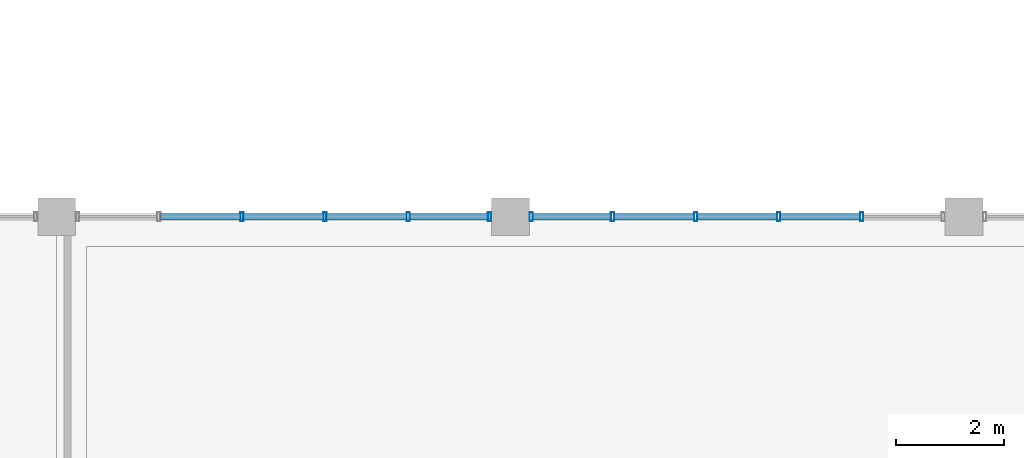
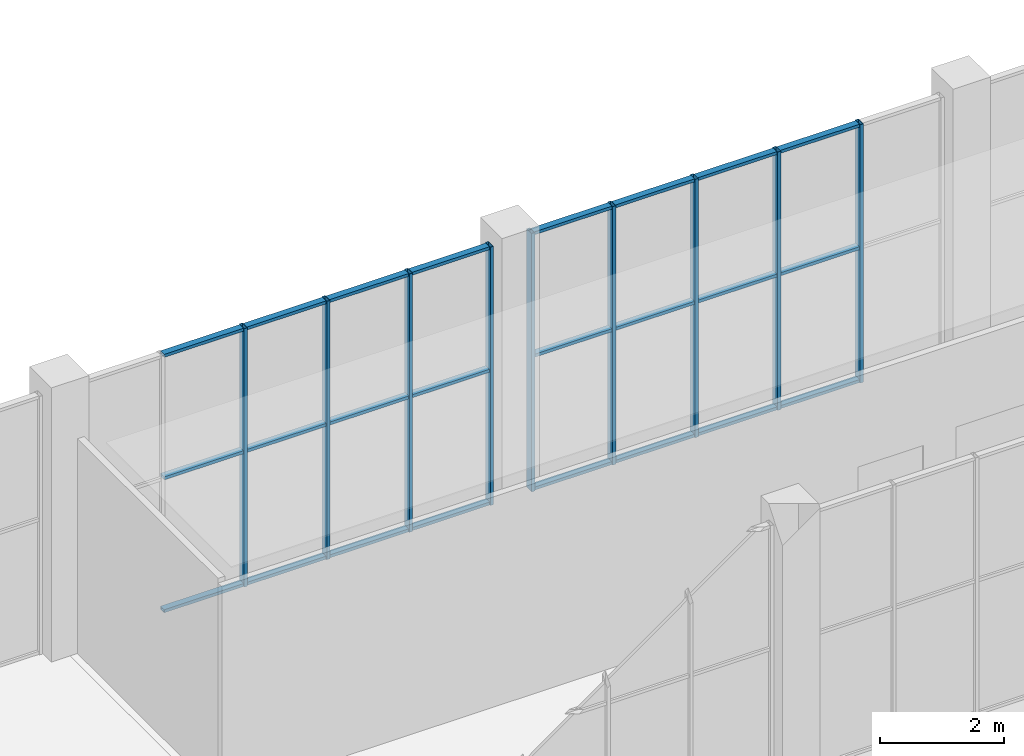
# One storey, part 43 of 91: 33 members, 2 elements without a shape of their own.
"""IFC4 building model written with IfcOpenShell, lengths in metres."""

from ifc_helpers import new_model, si_unit, direction, frame, origin, origin_2d, place, context, subcontext, project, spatial, hollow_rectangle, extrude, material, material_profile, profile_set, type_object, element, aggregate, save


model = new_model("IFC4")

# Units and contexts
model_context = context("Model", 3, precision=1e-05, world=origin(), true_north=direction((0.0, 1.0)))
body_context = subcontext(model_context, "Body", "Model", "MODEL_VIEW")
ifc_project = project(units=[si_unit("LENGTHUNIT", "METRE"), si_unit("AREAUNIT", "SQUARE_METRE"), si_unit("VOLUMEUNIT", "CUBIC_METRE"), si_unit("PLANEANGLEUNIT", "RADIAN"), si_unit("MASSUNIT", "GRAM", prefix="KILO")], contexts=[model_context])

# Site, building, storey
site_placement = place(None, origin())
site = spatial("IfcSite", under=ifc_project, at=site_placement, CompositionType="ELEMENT")
building_placement = place(site_placement, origin())
building = spatial("IfcBuilding", under=site, at=building_placement, Name="Khurvash Pelagic Aquarium", CompositionType="ELEMENT")
storey_placement = place(building_placement, origin())
storey = spatial("IfcBuildingStorey", under=building, at=storey_placement, Name="L00", CompositionType="ELEMENT", Elevation=0.0)

# Curtain wall, members
ifc_material_1 = material(Name="Anodised aluminium and low-E laminated glass", Category="aluminium")
curtain_wall_type = type_object("IfcCurtainWallType", Name="CW-02", PredefinedType="USERDEFINED", material=ifc_material_1)
curtain_wall_1_placement = place(storey_placement, origin())
curtain_wall_1 = element("IfcCurtainWall", 1, at=curtain_wall_1_placement, inside=storey, type_object=curtain_wall_type, Name="L00 Facade Unitised Curtain Wall CW-02 0066", ObjectType="UNITISED CURTAIN WALL", PredefinedType="USERDEFINED")
ifc_material_2 = material(Name="Extruded aluminium AW-6063-T6", Category="aluminium")
ifc_material_profile_1 = material_profile(ifc_material_2, hollow_rectangle(XDim=0.06005859375, YDim=0.159912109375, WallThickness=0.00390625, at=origin_2d()), Name="CWM60X160X4")
ifc_profile_set_1 = profile_set([ifc_material_profile_1], Name="Extruded aluminium AW-6063-T6")
member_type_1 = type_object("IfcMemberType", Name="CM-02", PredefinedType="MULLION", material=ifc_profile_set_1)
member_1_placement = place(storey_placement, frame((48.507080078125, 102.14990234375, 0.0), z_axis=(0.0, 0.0, 1.0), x_axis=(-1.0, 0.0, 0.0)))
member_1 = element("IfcMember", 2, at=member_1_placement, type_object=member_type_1, Name="CW-02 mullion 2", PredefinedType="MULLION", context=body_context, shape_type="SweptSolid", body=[
    extrude(hollow_rectangle(XDim=0.06005859375, YDim=0.159912109375, WallThickness=0.00390625, at=origin_2d()), origin(), (0.0, 0.0, 1.0), 5.090087890625),
])
member_2_placement = place(storey_placement, frame((46.968994140625, 102.14990234375, 0.0), z_axis=(0.0, 0.0, 1.0), x_axis=(-1.0, 0.0, 0.0)))
member_2 = element("IfcMember", 3, at=member_2_placement, type_object=member_type_1, Name="CW-02 mullion 3", PredefinedType="MULLION", context=body_context, shape_type="SweptSolid", body=[
    extrude(hollow_rectangle(XDim=0.06005859375, YDim=0.159912109375, WallThickness=0.00390625, at=origin_2d()), origin(), (0.0, 0.0, 1.0), 5.090087890625),
])
member_3_placement = place(storey_placement, frame((45.430908203125, 102.14990234375, 0.0), z_axis=(0.0, 0.0, 1.0), x_axis=(-1.0, 0.0, 0.0)))
member_3 = element("IfcMember", 4, at=member_3_placement, type_object=member_type_1, Name="CW-02 mullion 4", PredefinedType="MULLION", context=body_context, shape_type="SweptSolid", body=[
    extrude(hollow_rectangle(XDim=0.06005859375, YDim=0.159912109375, WallThickness=0.00390625, at=origin_2d()), origin(), (0.0, 0.0, 1.0), 5.090087890625),
])
member_4_placement = place(storey_placement, frame((43.89306640625, 102.14990234375, 0.0), z_axis=(0.0, 0.0, 1.0), x_axis=(-1.0, 0.0, 0.0)))
member_4 = element("IfcMember", 5, at=member_4_placement, type_object=member_type_1, Name="CW-02 mullion 5", PredefinedType="MULLION", context=body_context, shape_type="SweptSolid", body=[
    extrude(hollow_rectangle(XDim=0.06005859375, YDim=0.159912109375, WallThickness=0.00390625, at=origin_2d()), origin(), (0.0, 0.0, 1.0), 5.090087890625),
])
member_5_placement = place(storey_placement, frame((42.385009765625, 102.14990234375, 0.0), z_axis=(0.0, 0.0, 1.0), x_axis=(-1.0, 0.0, 0.0)))
member_5 = element("IfcMember", 6, at=member_5_placement, type_object=member_type_1, Name="CW-02 mullion 6", PredefinedType="MULLION", context=body_context, shape_type="SweptSolid", body=[
    extrude(hollow_rectangle(XDim=0.06005859375, YDim=0.159912109375, WallThickness=0.00390625, at=origin_2d()), origin(), (0.0, 0.0, 1.0), 5.090087890625),
])

curtain_wall_2_placement = place(storey_placement, origin())
curtain_wall_2 = element("IfcCurtainWall", 7, at=curtain_wall_2_placement, inside=storey, type_object=curtain_wall_type, Name="L00 Facade Unitised Curtain Wall CW-02 0067", ObjectType="UNITISED CURTAIN WALL", PredefinedType="USERDEFINED")
member_6_placement = place(storey_placement, frame((41.614990234375, 102.14990234375, 0.0), z_axis=(0.0, 0.0, 1.0), x_axis=(-1.0, 0.0, 0.0)))
member_6 = element("IfcMember", 8, at=member_6_placement, type_object=member_type_1, Name="CW-02 mullion 1", PredefinedType="MULLION", context=body_context, shape_type="SweptSolid", body=[
    extrude(hollow_rectangle(XDim=0.06005859375, YDim=0.159912109375, WallThickness=0.00390625, at=origin_2d()), origin(), (0.0, 0.0, 1.0), 5.090087890625),
])
member_7_placement = place(storey_placement, frame((40.10693359375, 102.14990234375, 0.0), z_axis=(0.0, 0.0, 1.0), x_axis=(-1.0, 0.0, 0.0)))
member_7 = element("IfcMember", 9, at=member_7_placement, type_object=member_type_1, Name="CW-02 mullion 2", PredefinedType="MULLION", context=body_context, shape_type="SweptSolid", body=[
    extrude(hollow_rectangle(XDim=0.06005859375, YDim=0.159912109375, WallThickness=0.00390625, at=origin_2d()), origin(), (0.0, 0.0, 1.0), 5.090087890625),
])
member_8_placement = place(storey_placement, frame((38.569091796875, 102.14990234375, 0.0), z_axis=(0.0, 0.0, 1.0), x_axis=(-1.0, 0.0, 0.0)))
member_8 = element("IfcMember", 10, at=member_8_placement, type_object=member_type_1, Name="CW-02 mullion 3", PredefinedType="MULLION", context=body_context, shape_type="SweptSolid", body=[
    extrude(hollow_rectangle(XDim=0.06005859375, YDim=0.159912109375, WallThickness=0.00390625, at=origin_2d()), origin(), (0.0, 0.0, 1.0), 5.090087890625),
])
member_9_placement = place(storey_placement, frame((37.031005859375, 102.14990234375, 0.0), z_axis=(0.0, 0.0, 1.0), x_axis=(-1.0, 0.0, 0.0)))
member_9 = element("IfcMember", 11, at=member_9_placement, type_object=member_type_1, Name="CW-02 mullion 4", PredefinedType="MULLION", context=body_context, shape_type="SweptSolid", body=[
    extrude(hollow_rectangle(XDim=0.06005859375, YDim=0.159912109375, WallThickness=0.00390625, at=origin_2d()), origin(), (0.0, 0.0, 1.0), 5.090087890625),
])

# Member
ifc_material_profile_2 = material_profile(ifc_material_2, hollow_rectangle(XDim=0.1201171875, YDim=0.06005859375, WallThickness=0.00390625, at=origin_2d()), Name="CWT120X60X4")
ifc_profile_set_2 = profile_set([ifc_material_profile_2], Name="Extruded aluminium AW-6063-T6")
member_type_2 = type_object("IfcMemberType", Name="CT-02", PredefinedType="USERDEFINED", material=ifc_profile_set_2)
member_10_placement = place(storey_placement, frame((48.47705078125, 102.14990234375, 0.030029296875), z_axis=(-1.0, 0.0, 0.0), x_axis=(0.0, -1.0, 0.0)))
member_10 = element("IfcMember", 12, at=member_10_placement, type_object=member_type_2, Name="CW-02 transom 2.1", ObjectType="TRANSOM", PredefinedType="USERDEFINED", context=body_context, shape_type="SweptSolid", body=[
    extrude(hollow_rectangle(XDim=0.1201171875, YDim=0.06005859375, WallThickness=0.00390625, at=origin_2d()), origin(), (0.0, 0.0, 1.0), 1.47802734375),
])

member_11_placement = place(storey_placement, frame((48.47705078125, 102.14990234375, 2.64697265625), z_axis=(-1.0, 0.0, 0.0), x_axis=(0.0, -1.0, 0.0)))
member_11 = element("IfcMember", 13, at=member_11_placement, type_object=member_type_2, Name="CW-02 transom 2.2", ObjectType="TRANSOM", PredefinedType="USERDEFINED", context=body_context, shape_type="SweptSolid", body=[
    extrude(hollow_rectangle(XDim=0.1201171875, YDim=0.06005859375, WallThickness=0.00390625, at=origin_2d()), origin(), (0.0, 0.0, 1.0), 1.47802734375),
])

member_12_placement = place(storey_placement, frame((48.47705078125, 102.14990234375, 5.06005859375), z_axis=(-1.0, 0.0, 0.0), x_axis=(0.0, -1.0, 0.0)))
member_12 = element("IfcMember", 14, at=member_12_placement, type_object=member_type_2, Name="CW-02 transom 2.3", ObjectType="TRANSOM", PredefinedType="USERDEFINED", context=body_context, shape_type="SweptSolid", body=[
    extrude(hollow_rectangle(XDim=0.1201171875, YDim=0.06005859375, WallThickness=0.00390625, at=origin_2d()), origin(), (0.0, 0.0, 1.0), 1.47802734375),
])

member_13_placement = place(storey_placement, frame((46.93896484375, 102.14990234375, 0.030029296875), z_axis=(-1.0, 0.0, 0.0), x_axis=(0.0, -1.0, 0.0)))
member_13 = element("IfcMember", 15, at=member_13_placement, type_object=member_type_2, Name="CW-02 transom 3.1", ObjectType="TRANSOM", PredefinedType="USERDEFINED", context=body_context, shape_type="SweptSolid", body=[
    extrude(hollow_rectangle(XDim=0.1201171875, YDim=0.06005859375, WallThickness=0.00390625, at=origin_2d()), origin(), (0.0, 0.0, 1.0), 1.47802734375),
])

member_14_placement = place(storey_placement, frame((46.93896484375, 102.14990234375, 2.64697265625), z_axis=(-1.0, 0.0, 0.0), x_axis=(0.0, -1.0, 0.0)))
member_14 = element("IfcMember", 16, at=member_14_placement, type_object=member_type_2, Name="CW-02 transom 3.2", ObjectType="TRANSOM", PredefinedType="USERDEFINED", context=body_context, shape_type="SweptSolid", body=[
    extrude(hollow_rectangle(XDim=0.1201171875, YDim=0.06005859375, WallThickness=0.00390625, at=origin_2d()), origin(), (0.0, 0.0, 1.0), 1.47802734375),
])

member_15_placement = place(storey_placement, frame((46.93896484375, 102.14990234375, 5.06005859375), z_axis=(-1.0, 0.0, 0.0), x_axis=(0.0, -1.0, 0.0)))
member_15 = element("IfcMember", 17, at=member_15_placement, type_object=member_type_2, Name="CW-02 transom 3.3", ObjectType="TRANSOM", PredefinedType="USERDEFINED", context=body_context, shape_type="SweptSolid", body=[
    extrude(hollow_rectangle(XDim=0.1201171875, YDim=0.06005859375, WallThickness=0.00390625, at=origin_2d()), origin(), (0.0, 0.0, 1.0), 1.47802734375),
])

member_16_placement = place(storey_placement, frame((45.40087890625, 102.14990234375, 0.030029296875), z_axis=(-1.0, 0.0, 0.0), x_axis=(0.0, -1.0, 0.0)))
member_16 = element("IfcMember", 18, at=member_16_placement, type_object=member_type_2, Name="CW-02 transom 4.1", ObjectType="TRANSOM", PredefinedType="USERDEFINED", context=body_context, shape_type="SweptSolid", body=[
    extrude(hollow_rectangle(XDim=0.1201171875, YDim=0.06005859375, WallThickness=0.00390625, at=origin_2d()), origin(), (0.0, 0.0, 1.0), 1.477783203125),
])

member_17_placement = place(storey_placement, frame((45.40087890625, 102.14990234375, 2.64697265625), z_axis=(-1.0, 0.0, 0.0), x_axis=(0.0, -1.0, 0.0)))
member_17 = element("IfcMember", 19, at=member_17_placement, type_object=member_type_2, Name="CW-02 transom 4.2", ObjectType="TRANSOM", PredefinedType="USERDEFINED", context=body_context, shape_type="SweptSolid", body=[
    extrude(hollow_rectangle(XDim=0.1201171875, YDim=0.06005859375, WallThickness=0.00390625, at=origin_2d()), origin(), (0.0, 0.0, 1.0), 1.477783203125),
])

member_18_placement = place(storey_placement, frame((45.40087890625, 102.14990234375, 5.06005859375), z_axis=(-1.0, 0.0, 0.0), x_axis=(0.0, -1.0, 0.0)))
member_18 = element("IfcMember", 20, at=member_18_placement, type_object=member_type_2, Name="CW-02 transom 4.3", ObjectType="TRANSOM", PredefinedType="USERDEFINED", context=body_context, shape_type="SweptSolid", body=[
    extrude(hollow_rectangle(XDim=0.1201171875, YDim=0.06005859375, WallThickness=0.00390625, at=origin_2d()), origin(), (0.0, 0.0, 1.0), 1.477783203125),
])

member_19_placement = place(storey_placement, frame((43.863037109375, 102.14990234375, 0.030029296875), z_axis=(-1.0, 0.0, 0.0), x_axis=(0.0, -1.0, 0.0)))
member_19 = element("IfcMember", 21, at=member_19_placement, type_object=member_type_2, Name="CW-02 transom 5.1", ObjectType="TRANSOM", PredefinedType="USERDEFINED", context=body_context, shape_type="SweptSolid", body=[
    extrude(hollow_rectangle(XDim=0.1201171875, YDim=0.06005859375, WallThickness=0.00390625, at=origin_2d()), origin(), (0.0, 0.0, 1.0), 1.447998046875),
])

member_20_placement = place(storey_placement, frame((43.863037109375, 102.14990234375, 2.64697265625), z_axis=(-1.0, 0.0, 0.0), x_axis=(0.0, -1.0, 0.0)))
member_20 = element("IfcMember", 22, at=member_20_placement, type_object=member_type_2, Name="CW-02 transom 5.2", ObjectType="TRANSOM", PredefinedType="USERDEFINED", context=body_context, shape_type="SweptSolid", body=[
    extrude(hollow_rectangle(XDim=0.1201171875, YDim=0.06005859375, WallThickness=0.00390625, at=origin_2d()), origin(), (0.0, 0.0, 1.0), 1.447998046875),
])

member_21_placement = place(storey_placement, frame((43.863037109375, 102.14990234375, 5.06005859375), z_axis=(-1.0, 0.0, 0.0), x_axis=(0.0, -1.0, 0.0)))
member_21 = element("IfcMember", 23, at=member_21_placement, type_object=member_type_2, Name="CW-02 transom 5.3", ObjectType="TRANSOM", PredefinedType="USERDEFINED", context=body_context, shape_type="SweptSolid", body=[
    extrude(hollow_rectangle(XDim=0.1201171875, YDim=0.06005859375, WallThickness=0.00390625, at=origin_2d()), origin(), (0.0, 0.0, 1.0), 1.447998046875),
])

aggregate(curtain_wall_1, [member_1, member_2, member_3, member_4, member_5, member_10, member_11, member_12, member_13, member_14, member_15, member_16, member_17, member_18, member_19, member_20, member_21])

member_22_placement = place(storey_placement, frame((41.5849609375, 102.14990234375, 0.030029296875), z_axis=(-1.0, 0.0, 0.0), x_axis=(0.0, -1.0, 0.0)))
member_22 = element("IfcMember", 24, at=member_22_placement, type_object=member_type_2, Name="CW-02 transom 1.1", ObjectType="TRANSOM", PredefinedType="USERDEFINED", context=body_context, shape_type="SweptSolid", body=[
    extrude(hollow_rectangle(XDim=0.1201171875, YDim=0.06005859375, WallThickness=0.00390625, at=origin_2d()), origin(), (0.0, 0.0, 1.0), 1.447998046875),
])

member_23_placement = place(storey_placement, frame((41.5849609375, 102.14990234375, 2.64697265625), z_axis=(-1.0, 0.0, 0.0), x_axis=(0.0, -1.0, 0.0)))
member_23 = element("IfcMember", 25, at=member_23_placement, type_object=member_type_2, Name="CW-02 transom 1.2", ObjectType="TRANSOM", PredefinedType="USERDEFINED", context=body_context, shape_type="SweptSolid", body=[
    extrude(hollow_rectangle(XDim=0.1201171875, YDim=0.06005859375, WallThickness=0.00390625, at=origin_2d()), origin(), (0.0, 0.0, 1.0), 1.447998046875),
])

member_24_placement = place(storey_placement, frame((41.5849609375, 102.14990234375, 5.06005859375), z_axis=(-1.0, 0.0, 0.0), x_axis=(0.0, -1.0, 0.0)))
member_24 = element("IfcMember", 26, at=member_24_placement, type_object=member_type_2, Name="CW-02 transom 1.3", ObjectType="TRANSOM", PredefinedType="USERDEFINED", context=body_context, shape_type="SweptSolid", body=[
    extrude(hollow_rectangle(XDim=0.1201171875, YDim=0.06005859375, WallThickness=0.00390625, at=origin_2d()), origin(), (0.0, 0.0, 1.0), 1.447998046875),
])

member_25_placement = place(storey_placement, frame((40.076904296875, 102.14990234375, 0.030029296875), z_axis=(-1.0, 0.0, 0.0), x_axis=(0.0, -1.0, 0.0)))
member_25 = element("IfcMember", 27, at=member_25_placement, type_object=member_type_2, Name="CW-02 transom 2.1", ObjectType="TRANSOM", PredefinedType="USERDEFINED", context=body_context, shape_type="SweptSolid", body=[
    extrude(hollow_rectangle(XDim=0.1201171875, YDim=0.06005859375, WallThickness=0.00390625, at=origin_2d()), origin(), (0.0, 0.0, 1.0), 1.477783203125),
])

member_26_placement = place(storey_placement, frame((40.076904296875, 102.14990234375, 2.64697265625), z_axis=(-1.0, 0.0, 0.0), x_axis=(0.0, -1.0, 0.0)))
member_26 = element("IfcMember", 28, at=member_26_placement, type_object=member_type_2, Name="CW-02 transom 2.2", ObjectType="TRANSOM", PredefinedType="USERDEFINED", context=body_context, shape_type="SweptSolid", body=[
    extrude(hollow_rectangle(XDim=0.1201171875, YDim=0.06005859375, WallThickness=0.00390625, at=origin_2d()), origin(), (0.0, 0.0, 1.0), 1.477783203125),
])

member_27_placement = place(storey_placement, frame((40.076904296875, 102.14990234375, 5.06005859375), z_axis=(-1.0, 0.0, 0.0), x_axis=(0.0, -1.0, 0.0)))
member_27 = element("IfcMember", 29, at=member_27_placement, type_object=member_type_2, Name="CW-02 transom 2.3", ObjectType="TRANSOM", PredefinedType="USERDEFINED", context=body_context, shape_type="SweptSolid", body=[
    extrude(hollow_rectangle(XDim=0.1201171875, YDim=0.06005859375, WallThickness=0.00390625, at=origin_2d()), origin(), (0.0, 0.0, 1.0), 1.477783203125),
])

member_28_placement = place(storey_placement, frame((38.5390625, 102.14990234375, 0.030029296875), z_axis=(-1.0, 0.0, 0.0), x_axis=(0.0, -1.0, 0.0)))
member_28 = element("IfcMember", 30, at=member_28_placement, type_object=member_type_2, Name="CW-02 transom 3.1", ObjectType="TRANSOM", PredefinedType="USERDEFINED", context=body_context, shape_type="SweptSolid", body=[
    extrude(hollow_rectangle(XDim=0.1201171875, YDim=0.06005859375, WallThickness=0.00390625, at=origin_2d()), origin(), (0.0, 0.0, 1.0), 1.47802734375),
])

member_29_placement = place(storey_placement, frame((38.5390625, 102.14990234375, 2.64697265625), z_axis=(-1.0, 0.0, 0.0), x_axis=(0.0, -1.0, 0.0)))
member_29 = element("IfcMember", 31, at=member_29_placement, type_object=member_type_2, Name="CW-02 transom 3.2", ObjectType="TRANSOM", PredefinedType="USERDEFINED", context=body_context, shape_type="SweptSolid", body=[
    extrude(hollow_rectangle(XDim=0.1201171875, YDim=0.06005859375, WallThickness=0.00390625, at=origin_2d()), origin(), (0.0, 0.0, 1.0), 1.47802734375),
])

member_30_placement = place(storey_placement, frame((38.5390625, 102.14990234375, 5.06005859375), z_axis=(-1.0, 0.0, 0.0), x_axis=(0.0, -1.0, 0.0)))
member_30 = element("IfcMember", 32, at=member_30_placement, type_object=member_type_2, Name="CW-02 transom 3.3", ObjectType="TRANSOM", PredefinedType="USERDEFINED", context=body_context, shape_type="SweptSolid", body=[
    extrude(hollow_rectangle(XDim=0.1201171875, YDim=0.06005859375, WallThickness=0.00390625, at=origin_2d()), origin(), (0.0, 0.0, 1.0), 1.47802734375),
])

member_31_placement = place(storey_placement, frame((37.0009765625, 102.14990234375, 0.030029296875), z_axis=(-1.0, 0.0, 0.0), x_axis=(0.0, -1.0, 0.0)))
member_31 = element("IfcMember", 33, at=member_31_placement, type_object=member_type_2, Name="CW-02 transom 4.1", ObjectType="TRANSOM", PredefinedType="USERDEFINED", context=body_context, shape_type="SweptSolid", body=[
    extrude(hollow_rectangle(XDim=0.1201171875, YDim=0.06005859375, WallThickness=0.00390625, at=origin_2d()), origin(), (0.0, 0.0, 1.0), 1.47802734375),
])

member_32_placement = place(storey_placement, frame((37.0009765625, 102.14990234375, 2.64697265625), z_axis=(-1.0, 0.0, 0.0), x_axis=(0.0, -1.0, 0.0)))
member_32 = element("IfcMember", 34, at=member_32_placement, type_object=member_type_2, Name="CW-02 transom 4.2", ObjectType="TRANSOM", PredefinedType="USERDEFINED", context=body_context, shape_type="SweptSolid", body=[
    extrude(hollow_rectangle(XDim=0.1201171875, YDim=0.06005859375, WallThickness=0.00390625, at=origin_2d()), origin(), (0.0, 0.0, 1.0), 1.47802734375),
])

member_33_placement = place(storey_placement, frame((37.0009765625, 102.14990234375, 5.06005859375), z_axis=(-1.0, 0.0, 0.0), x_axis=(0.0, -1.0, 0.0)))
member_33 = element("IfcMember", 35, at=member_33_placement, type_object=member_type_2, Name="CW-02 transom 4.3", ObjectType="TRANSOM", PredefinedType="USERDEFINED", context=body_context, shape_type="SweptSolid", body=[
    extrude(hollow_rectangle(XDim=0.1201171875, YDim=0.06005859375, WallThickness=0.00390625, at=origin_2d()), origin(), (0.0, 0.0, 1.0), 1.47802734375),
])

aggregate(curtain_wall_2, [member_6, member_7, member_8, member_9, member_22, member_23, member_24, member_25, member_26, member_27, member_28, member_29, member_30, member_31, member_32, member_33])

save(model, "model.ifc")
